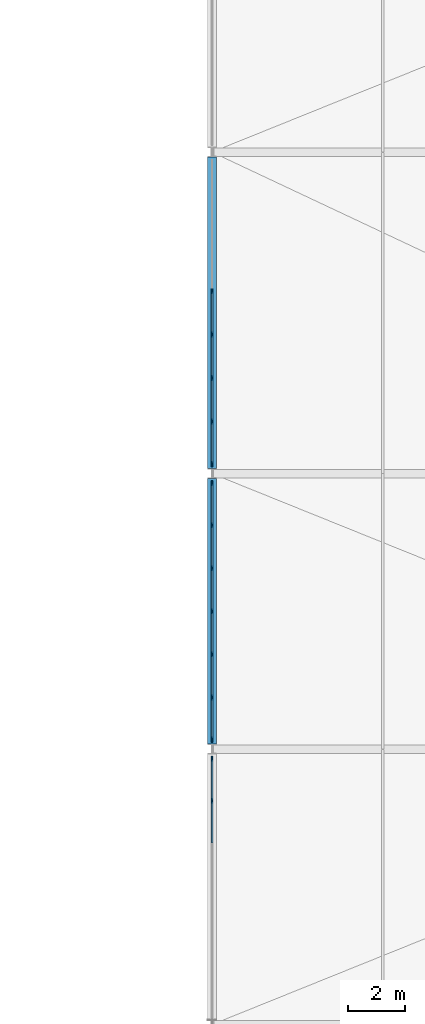
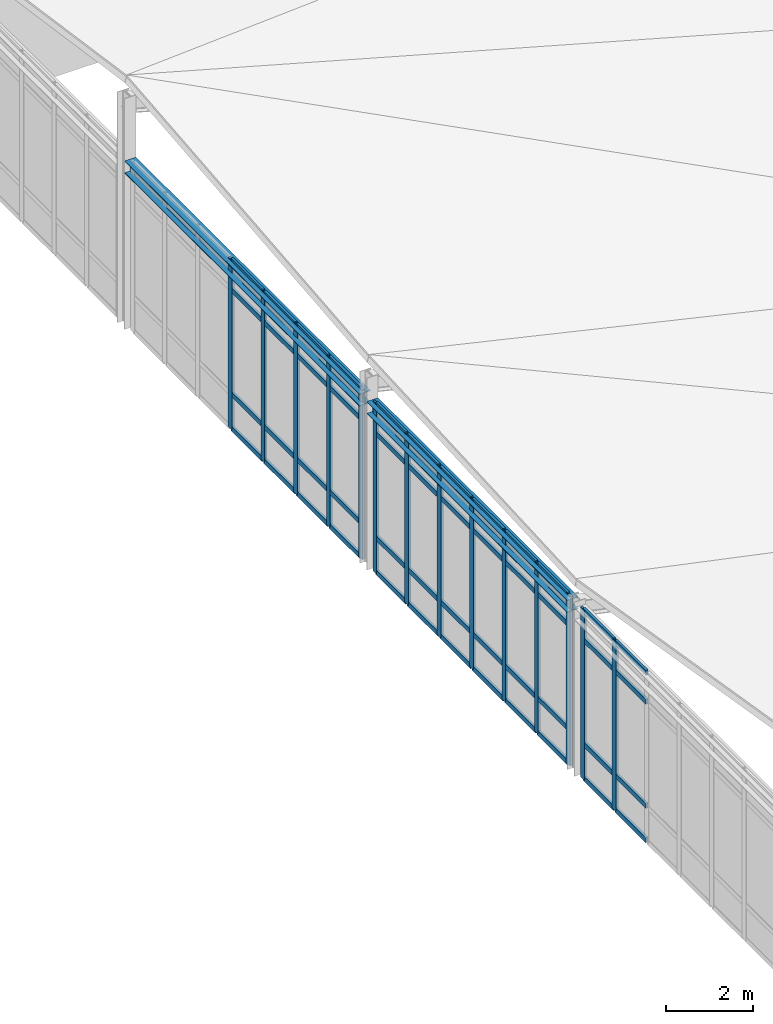
# One storey, part 33 of 64: 62 members, 2 beams, 3 elements without a shape of their own.
"""IFC4 building model written with IfcOpenShell, lengths in metres."""

from ifc_helpers import new_model, si_unit, direction, frame, origin, origin_2d, place, context, subcontext, project, spatial, rectangle, i_section, extrude, material, layer, layer_set, material_profile, profile_set, type_object, element, aggregate, save


model = new_model("IFC4")

# Units and contexts
model_context = context("Model", 3, precision=1e-05, world=origin(), true_north=direction((0.0, 1.0)))
body_context = subcontext(model_context, "Body", "Model", "MODEL_VIEW")
ifc_project = project(units=[si_unit("LENGTHUNIT", "METRE"), si_unit("AREAUNIT", "SQUARE_METRE"), si_unit("VOLUMEUNIT", "CUBIC_METRE"), si_unit("PLANEANGLEUNIT", "RADIAN"), si_unit("MASSUNIT", "GRAM", prefix="KILO")], contexts=[model_context])

# Site, building, storey
site_placement = place(None, origin())
site = spatial("IfcSite", under=ifc_project, at=site_placement, CompositionType="ELEMENT")
building_placement = place(site_placement, origin())
building = spatial("IfcBuilding", under=site, at=building_placement, Name="Nordkorset Police Headquarters", CompositionType="ELEMENT")
storey_placement = place(building_placement, frame((0.0, 0.0, 17.85009765625)))
storey = spatial("IfcBuildingStorey", under=building, at=storey_placement, Name="L04", CompositionType="ELEMENT", Elevation=17.85009765625)

# Curtain wall, members
ifc_material_1 = material(Name="Aluminium alloy AW-6060", Category="aluminium")
ifc_layer_1 = layer(ifc_material_1, 0.179931640625, Name="Aluminium alloy AW-6060")
ifc_layer_set_1 = layer_set([ifc_layer_1], Name="Aluminium alloy AW-6060")
curtain_wall_type_1 = type_object("IfcCurtainWallType", Name="CW_Unit_900x479", PredefinedType="USERDEFINED", material=ifc_layer_set_1)
curtain_wall_1_placement = place(storey_placement, origin())
curtain_wall_1 = element("IfcCurtainWall", 1, at=curtain_wall_1_placement, inside=storey, type_object=curtain_wall_type_1, Name="Unitised Curtain Wall L04 V5CLER-1", ObjectType="UNITISED CURTAIN WALL", PredefinedType="USERDEFINED")
ifc_material_2 = material(Name="Aluminium alloy AW-6060", Category="aluminium")
ifc_material_profile_1 = material_profile(ifc_material_2, rectangle(XDim=0.06494140625, YDim=0.179931640625, at=origin_2d()), Name="ALU MULL 65x180")
ifc_profile_set_1 = profile_set([ifc_material_profile_1], Name="Aluminium alloy AW-6060")
member_type_1 = type_object("IfcMemberType", Name="CW_Mullion_65x180", PredefinedType="MULLION", material=ifc_profile_set_1)
member_1_placement = place(storey_placement, frame((91.39990234375, 65.39990234375, 0.0), z_axis=(0.0, 0.0, 1.0), x_axis=(-1.0, 0.0, 0.0)))
member_1 = element("IfcMember", 2, at=member_1_placement, type_object=member_type_1, Name="CW-89 mullion 6", PredefinedType="MULLION", context=body_context, shape_type="SweptSolid", body=[
    extrude(rectangle(XDim=0.06494140625, YDim=0.179931640625, at=origin_2d()), origin(), (0.0, 0.0, 1.0), 4.789794921875),
])
member_2_placement = place(storey_placement, frame((91.39990234375, 66.867431640625, 0.0), z_axis=(0.0, 0.0, 1.0), x_axis=(-1.0, 0.0, 0.0)))
member_2 = element("IfcMember", 3, at=member_2_placement, type_object=member_type_1, Name="CW-89 mullion 7", PredefinedType="MULLION", context=body_context, shape_type="SweptSolid", body=[
    extrude(rectangle(XDim=0.06494140625, YDim=0.179931640625, at=origin_2d()), origin(), (0.0, 0.0, 1.0), 4.789794921875),
])

curtain_wall_2_placement = place(storey_placement, origin())
curtain_wall_2 = element("IfcCurtainWall", 4, at=curtain_wall_2_placement, inside=storey, type_object=curtain_wall_type_1, Name="Unitised Curtain Wall L04 V5CLER-2", ObjectType="UNITISED CURTAIN WALL", PredefinedType="USERDEFINED")
member_3_placement = place(storey_placement, frame((91.39990234375, 67.532470703125, 0.0), z_axis=(0.0, 0.0, 1.0), x_axis=(-1.0, 0.0, 0.0)))
member_3 = element("IfcMember", 5, at=member_3_placement, type_object=member_type_1, Name="CW-89 mullion 1", PredefinedType="MULLION", context=body_context, shape_type="SweptSolid", body=[
    extrude(rectangle(XDim=0.06494140625, YDim=0.179931640625, at=origin_2d()), origin(), (0.0, 0.0, 1.0), 4.789794921875),
])
member_4_placement = place(storey_placement, frame((91.39990234375, 69.0, 0.0), z_axis=(0.0, 0.0, 1.0), x_axis=(-1.0, 0.0, 0.0)))
member_4 = element("IfcMember", 6, at=member_4_placement, type_object=member_type_1, Name="CW-89 mullion 2", PredefinedType="MULLION", context=body_context, shape_type="SweptSolid", body=[
    extrude(rectangle(XDim=0.06494140625, YDim=0.179931640625, at=origin_2d()), origin(), (0.0, 0.0, 1.0), 4.789794921875),
])
member_5_placement = place(storey_placement, frame((91.39990234375, 70.5, 0.0), z_axis=(0.0, 0.0, 1.0), x_axis=(-1.0, 0.0, 0.0)))
member_5 = element("IfcMember", 7, at=member_5_placement, type_object=member_type_1, Name="CW-89 mullion 3", PredefinedType="MULLION", context=body_context, shape_type="SweptSolid", body=[
    extrude(rectangle(XDim=0.06494140625, YDim=0.179931640625, at=origin_2d()), origin(), (0.0, 0.0, 1.0), 4.789794921875),
])
member_6_placement = place(storey_placement, frame((91.39990234375, 72.0, 0.0), z_axis=(0.0, 0.0, 1.0), x_axis=(-1.0, 0.0, 0.0)))
member_6 = element("IfcMember", 8, at=member_6_placement, type_object=member_type_1, Name="CW-89 mullion 4", PredefinedType="MULLION", context=body_context, shape_type="SweptSolid", body=[
    extrude(rectangle(XDim=0.06494140625, YDim=0.179931640625, at=origin_2d()), origin(), (0.0, 0.0, 1.0), 4.789794921875),
])
member_7_placement = place(storey_placement, frame((91.39990234375, 73.5, 0.0), z_axis=(0.0, 0.0, 1.0), x_axis=(-1.0, 0.0, 0.0)))
member_7 = element("IfcMember", 9, at=member_7_placement, type_object=member_type_1, Name="CW-89 mullion 5", PredefinedType="MULLION", context=body_context, shape_type="SweptSolid", body=[
    extrude(rectangle(XDim=0.06494140625, YDim=0.179931640625, at=origin_2d()), origin(), (0.0, 0.0, 1.0), 4.789794921875),
])
member_8_placement = place(storey_placement, frame((91.39990234375, 75.0, 0.0), z_axis=(0.0, 0.0, 1.0), x_axis=(-1.0, 0.0, 0.0)))
member_8 = element("IfcMember", 10, at=member_8_placement, type_object=member_type_1, Name="CW-89 mullion 6", PredefinedType="MULLION", context=body_context, shape_type="SweptSolid", body=[
    extrude(rectangle(XDim=0.06494140625, YDim=0.179931640625, at=origin_2d()), origin(), (0.0, 0.0, 1.0), 4.789794921875),
])
member_9_placement = place(storey_placement, frame((91.39990234375, 76.467529296875, 0.0), z_axis=(0.0, 0.0, 1.0), x_axis=(-1.0, 0.0, 0.0)))
member_9 = element("IfcMember", 11, at=member_9_placement, type_object=member_type_1, Name="CW-89 mullion 7", PredefinedType="MULLION", context=body_context, shape_type="SweptSolid", body=[
    extrude(rectangle(XDim=0.06494140625, YDim=0.179931640625, at=origin_2d()), origin(), (0.0, 0.0, 1.0), 4.789794921875),
])

ifc_material_3 = material(Name="Aluminium alloy AW-6060", Category="aluminium")
ifc_layer_2 = layer(ifc_material_3, 0.179931640625, Name="Aluminium alloy AW-6060")
ifc_layer_set_2 = layer_set([ifc_layer_2], Name="Aluminium alloy AW-6060")
curtain_wall_type_2 = type_object("IfcCurtainWallType", Name="CW_Unit_1060x479", PredefinedType="USERDEFINED", material=ifc_layer_set_2)
curtain_wall_3_placement = place(storey_placement, origin())
curtain_wall_3 = element("IfcCurtainWall", 12, at=curtain_wall_3_placement, inside=storey, type_object=curtain_wall_type_2, Name="Unitised Curtain Wall L04 V5CLER-3", ObjectType="UNITISED CURTAIN WALL", PredefinedType="USERDEFINED")
member_10_placement = place(storey_placement, frame((91.39990234375, 77.132568359375, 0.0), z_axis=(0.0, 0.0, 1.0), x_axis=(-1.0, 0.0, 0.0)))
member_10 = element("IfcMember", 13, at=member_10_placement, type_object=member_type_1, Name="CW-45 mullion 1", PredefinedType="MULLION", context=body_context, shape_type="SweptSolid", body=[
    extrude(rectangle(XDim=0.06494140625, YDim=0.179931640625, at=origin_2d()), origin(), (0.0, 0.0, 1.0), 4.789794921875),
])
member_11_placement = place(storey_placement, frame((91.39990234375, 78.6142578125, 0.0), z_axis=(0.0, 0.0, 1.0), x_axis=(-1.0, 0.0, 0.0)))
member_11 = element("IfcMember", 14, at=member_11_placement, type_object=member_type_1, Name="CW-45 mullion 2", PredefinedType="MULLION", context=body_context, shape_type="SweptSolid", body=[
    extrude(rectangle(XDim=0.06494140625, YDim=0.179931640625, at=origin_2d()), origin(), (0.0, 0.0, 1.0), 4.789794921875),
])
member_12_placement = place(storey_placement, frame((91.39990234375, 80.128662109375, 0.0), z_axis=(0.0, 0.0, 1.0), x_axis=(-1.0, 0.0, 0.0)))
member_12 = element("IfcMember", 15, at=member_12_placement, type_object=member_type_1, Name="CW-45 mullion 3", PredefinedType="MULLION", context=body_context, shape_type="SweptSolid", body=[
    extrude(rectangle(XDim=0.06494140625, YDim=0.179931640625, at=origin_2d()), origin(), (0.0, 0.0, 1.0), 4.789794921875),
])
member_13_placement = place(storey_placement, frame((91.39990234375, 81.642822265625, 0.0), z_axis=(0.0, 0.0, 1.0), x_axis=(-1.0, 0.0, 0.0)))
member_13 = element("IfcMember", 16, at=member_13_placement, type_object=member_type_1, Name="CW-45 mullion 4", PredefinedType="MULLION", context=body_context, shape_type="SweptSolid", body=[
    extrude(rectangle(XDim=0.06494140625, YDim=0.179931640625, at=origin_2d()), origin(), (0.0, 0.0, 1.0), 4.789794921875),
])
member_14_placement = place(storey_placement, frame((91.39990234375, 83.1572265625, 0.0), z_axis=(0.0, 0.0, 1.0), x_axis=(-1.0, 0.0, 0.0)))
member_14 = element("IfcMember", 17, at=member_14_placement, type_object=member_type_1, Name="CW-45 mullion 5", PredefinedType="MULLION", context=body_context, shape_type="SweptSolid", body=[
    extrude(rectangle(XDim=0.06494140625, YDim=0.179931640625, at=origin_2d()), origin(), (0.0, 0.0, 1.0), 4.789794921875),
])

# Member
ifc_material_4 = material(Name="Aluminium alloy AW-6060", Category="aluminium")
ifc_material_profile_2 = material_profile(ifc_material_4, rectangle(XDim=0.06494140625, YDim=0.139892578125, at=origin_2d()), Name="ALU TRAN 65x140")
ifc_profile_set_2 = profile_set([ifc_material_profile_2], Name="Aluminium alloy AW-6060")
member_type_2 = type_object("IfcMemberType", Name="CW_Transom_65x140", PredefinedType="USERDEFINED", material=ifc_profile_set_2)
member_15_placement = place(storey_placement, frame((91.39990234375, 63.9326171875, 0.032470703125), z_axis=(0.0, 1.0, 0.0), x_axis=(-1.0, 0.0, 0.0)))
member_15 = element("IfcMember", 18, at=member_15_placement, type_object=member_type_2, Name="CW-89 transom 5.1", ObjectType="TRANSOM", PredefinedType="USERDEFINED", context=body_context, shape_type="SweptSolid", body=[
    extrude(rectangle(XDim=0.06494140625, YDim=0.139892578125, at=origin_2d()), origin(), (0.0, 0.0, 1.0), 1.434814453125),
])

member_16_placement = place(storey_placement, frame((91.39990234375, 63.9326171875, 1.0), z_axis=(0.0, 1.0, 0.0), x_axis=(-1.0, 0.0, 0.0)))
member_16 = element("IfcMember", 19, at=member_16_placement, type_object=member_type_2, Name="CW-89 transom 5.2", ObjectType="TRANSOM", PredefinedType="USERDEFINED", context=body_context, shape_type="SweptSolid", body=[
    extrude(rectangle(XDim=0.06494140625, YDim=0.139892578125, at=origin_2d()), origin(), (0.0, 0.0, 1.0), 1.434814453125),
])

member_17_placement = place(storey_placement, frame((91.39990234375, 63.9326171875, 3.93994140625), z_axis=(0.0, 1.0, 0.0), x_axis=(-1.0, 0.0, 0.0)))
member_17 = element("IfcMember", 20, at=member_17_placement, type_object=member_type_2, Name="CW-89 transom 5.3", ObjectType="TRANSOM", PredefinedType="USERDEFINED", context=body_context, shape_type="SweptSolid", body=[
    extrude(rectangle(XDim=0.06494140625, YDim=0.139892578125, at=origin_2d()), origin(), (0.0, 0.0, 1.0), 1.434814453125),
])

member_18_placement = place(storey_placement, frame((91.39990234375, 63.9326171875, 4.75732421875), z_axis=(0.0, 1.0, 0.0), x_axis=(-1.0, 0.0, 0.0)))
member_18 = element("IfcMember", 21, at=member_18_placement, type_object=member_type_2, Name="CW-89 transom 5.4", ObjectType="TRANSOM", PredefinedType="USERDEFINED", context=body_context, shape_type="SweptSolid", body=[
    extrude(rectangle(XDim=0.06494140625, YDim=0.139892578125, at=origin_2d()), origin(), (0.0, 0.0, 1.0), 1.434814453125),
])

member_19_placement = place(storey_placement, frame((91.39990234375, 65.4326171875, 0.032470703125), z_axis=(0.0, 1.0, 0.0), x_axis=(-1.0, 0.0, 0.0)))
member_19 = element("IfcMember", 22, at=member_19_placement, type_object=member_type_2, Name="CW-89 transom 6.1", ObjectType="TRANSOM", PredefinedType="USERDEFINED", context=body_context, shape_type="SweptSolid", body=[
    extrude(rectangle(XDim=0.06494140625, YDim=0.139892578125, at=origin_2d()), origin(), (0.0, 0.0, 1.0), 1.40234375),
])

member_20_placement = place(storey_placement, frame((91.39990234375, 65.4326171875, 1.0), z_axis=(0.0, 1.0, 0.0), x_axis=(-1.0, 0.0, 0.0)))
member_20 = element("IfcMember", 23, at=member_20_placement, type_object=member_type_2, Name="CW-89 transom 6.2", ObjectType="TRANSOM", PredefinedType="USERDEFINED", context=body_context, shape_type="SweptSolid", body=[
    extrude(rectangle(XDim=0.06494140625, YDim=0.139892578125, at=origin_2d()), origin(), (0.0, 0.0, 1.0), 1.40234375),
])

member_21_placement = place(storey_placement, frame((91.39990234375, 65.4326171875, 3.93994140625), z_axis=(0.0, 1.0, 0.0), x_axis=(-1.0, 0.0, 0.0)))
member_21 = element("IfcMember", 24, at=member_21_placement, type_object=member_type_2, Name="CW-89 transom 6.3", ObjectType="TRANSOM", PredefinedType="USERDEFINED", context=body_context, shape_type="SweptSolid", body=[
    extrude(rectangle(XDim=0.06494140625, YDim=0.139892578125, at=origin_2d()), origin(), (0.0, 0.0, 1.0), 1.40234375),
])

member_22_placement = place(storey_placement, frame((91.39990234375, 65.4326171875, 4.75732421875), z_axis=(0.0, 1.0, 0.0), x_axis=(-1.0, 0.0, 0.0)))
member_22 = element("IfcMember", 25, at=member_22_placement, type_object=member_type_2, Name="CW-89 transom 6.4", ObjectType="TRANSOM", PredefinedType="USERDEFINED", context=body_context, shape_type="SweptSolid", body=[
    extrude(rectangle(XDim=0.06494140625, YDim=0.139892578125, at=origin_2d()), origin(), (0.0, 0.0, 1.0), 1.40234375),
])

aggregate(curtain_wall_1, [member_1, member_2, member_15, member_16, member_17, member_18, member_19, member_20, member_21, member_22])

member_23_placement = place(storey_placement, frame((91.39990234375, 67.56494140625, 0.032470703125), z_axis=(0.0, 1.0, 0.0), x_axis=(-1.0, 0.0, 0.0)))
member_23 = element("IfcMember", 26, at=member_23_placement, type_object=member_type_2, Name="CW-89 transom 1.1", ObjectType="TRANSOM", PredefinedType="USERDEFINED", context=body_context, shape_type="SweptSolid", body=[
    extrude(rectangle(XDim=0.06494140625, YDim=0.139892578125, at=origin_2d()), origin(), (0.0, 0.0, 1.0), 1.402587890625),
])

member_24_placement = place(storey_placement, frame((91.39990234375, 67.56494140625, 1.0), z_axis=(0.0, 1.0, 0.0), x_axis=(-1.0, 0.0, 0.0)))
member_24 = element("IfcMember", 27, at=member_24_placement, type_object=member_type_2, Name="CW-89 transom 1.2", ObjectType="TRANSOM", PredefinedType="USERDEFINED", context=body_context, shape_type="SweptSolid", body=[
    extrude(rectangle(XDim=0.06494140625, YDim=0.139892578125, at=origin_2d()), origin(), (0.0, 0.0, 1.0), 1.402587890625),
])

member_25_placement = place(storey_placement, frame((91.39990234375, 67.56494140625, 3.93994140625), z_axis=(0.0, 1.0, 0.0), x_axis=(-1.0, 0.0, 0.0)))
member_25 = element("IfcMember", 28, at=member_25_placement, type_object=member_type_2, Name="CW-89 transom 1.3", ObjectType="TRANSOM", PredefinedType="USERDEFINED", context=body_context, shape_type="SweptSolid", body=[
    extrude(rectangle(XDim=0.06494140625, YDim=0.139892578125, at=origin_2d()), origin(), (0.0, 0.0, 1.0), 1.402587890625),
])

member_26_placement = place(storey_placement, frame((91.39990234375, 67.56494140625, 4.75732421875), z_axis=(0.0, 1.0, 0.0), x_axis=(-1.0, 0.0, 0.0)))
member_26 = element("IfcMember", 29, at=member_26_placement, type_object=member_type_2, Name="CW-89 transom 1.4", ObjectType="TRANSOM", PredefinedType="USERDEFINED", context=body_context, shape_type="SweptSolid", body=[
    extrude(rectangle(XDim=0.06494140625, YDim=0.139892578125, at=origin_2d()), origin(), (0.0, 0.0, 1.0), 1.402587890625),
])

member_27_placement = place(storey_placement, frame((91.39990234375, 69.032470703125, 0.032470703125), z_axis=(0.0, 1.0, 0.0), x_axis=(-1.0, 0.0, 0.0)))
member_27 = element("IfcMember", 30, at=member_27_placement, type_object=member_type_2, Name="CW-89 transom 2.1", ObjectType="TRANSOM", PredefinedType="USERDEFINED", context=body_context, shape_type="SweptSolid", body=[
    extrude(rectangle(XDim=0.06494140625, YDim=0.139892578125, at=origin_2d()), origin(), (0.0, 0.0, 1.0), 1.43505859375),
])

member_28_placement = place(storey_placement, frame((91.39990234375, 69.032470703125, 1.0), z_axis=(0.0, 1.0, 0.0), x_axis=(-1.0, 0.0, 0.0)))
member_28 = element("IfcMember", 31, at=member_28_placement, type_object=member_type_2, Name="CW-89 transom 2.2", ObjectType="TRANSOM", PredefinedType="USERDEFINED", context=body_context, shape_type="SweptSolid", body=[
    extrude(rectangle(XDim=0.06494140625, YDim=0.139892578125, at=origin_2d()), origin(), (0.0, 0.0, 1.0), 1.43505859375),
])

member_29_placement = place(storey_placement, frame((91.39990234375, 69.032470703125, 3.93994140625), z_axis=(0.0, 1.0, 0.0), x_axis=(-1.0, 0.0, 0.0)))
member_29 = element("IfcMember", 32, at=member_29_placement, type_object=member_type_2, Name="CW-89 transom 2.3", ObjectType="TRANSOM", PredefinedType="USERDEFINED", context=body_context, shape_type="SweptSolid", body=[
    extrude(rectangle(XDim=0.06494140625, YDim=0.139892578125, at=origin_2d()), origin(), (0.0, 0.0, 1.0), 1.43505859375),
])

member_30_placement = place(storey_placement, frame((91.39990234375, 69.032470703125, 4.75732421875), z_axis=(0.0, 1.0, 0.0), x_axis=(-1.0, 0.0, 0.0)))
member_30 = element("IfcMember", 33, at=member_30_placement, type_object=member_type_2, Name="CW-89 transom 2.4", ObjectType="TRANSOM", PredefinedType="USERDEFINED", context=body_context, shape_type="SweptSolid", body=[
    extrude(rectangle(XDim=0.06494140625, YDim=0.139892578125, at=origin_2d()), origin(), (0.0, 0.0, 1.0), 1.43505859375),
])

member_31_placement = place(storey_placement, frame((91.39990234375, 70.532470703125, 0.032470703125), z_axis=(0.0, 1.0, 0.0), x_axis=(-1.0, 0.0, 0.0)))
member_31 = element("IfcMember", 34, at=member_31_placement, type_object=member_type_2, Name="CW-89 transom 3.1", ObjectType="TRANSOM", PredefinedType="USERDEFINED", context=body_context, shape_type="SweptSolid", body=[
    extrude(rectangle(XDim=0.06494140625, YDim=0.139892578125, at=origin_2d()), origin(), (0.0, 0.0, 1.0), 1.43505859375),
])

member_32_placement = place(storey_placement, frame((91.39990234375, 70.532470703125, 1.0), z_axis=(0.0, 1.0, 0.0), x_axis=(-1.0, 0.0, 0.0)))
member_32 = element("IfcMember", 35, at=member_32_placement, type_object=member_type_2, Name="CW-89 transom 3.2", ObjectType="TRANSOM", PredefinedType="USERDEFINED", context=body_context, shape_type="SweptSolid", body=[
    extrude(rectangle(XDim=0.06494140625, YDim=0.139892578125, at=origin_2d()), origin(), (0.0, 0.0, 1.0), 1.43505859375),
])

member_33_placement = place(storey_placement, frame((91.39990234375, 70.532470703125, 3.93994140625), z_axis=(0.0, 1.0, 0.0), x_axis=(-1.0, 0.0, 0.0)))
member_33 = element("IfcMember", 36, at=member_33_placement, type_object=member_type_2, Name="CW-89 transom 3.3", ObjectType="TRANSOM", PredefinedType="USERDEFINED", context=body_context, shape_type="SweptSolid", body=[
    extrude(rectangle(XDim=0.06494140625, YDim=0.139892578125, at=origin_2d()), origin(), (0.0, 0.0, 1.0), 1.43505859375),
])

member_34_placement = place(storey_placement, frame((91.39990234375, 70.532470703125, 4.75732421875), z_axis=(0.0, 1.0, 0.0), x_axis=(-1.0, 0.0, 0.0)))
member_34 = element("IfcMember", 37, at=member_34_placement, type_object=member_type_2, Name="CW-89 transom 3.4", ObjectType="TRANSOM", PredefinedType="USERDEFINED", context=body_context, shape_type="SweptSolid", body=[
    extrude(rectangle(XDim=0.06494140625, YDim=0.139892578125, at=origin_2d()), origin(), (0.0, 0.0, 1.0), 1.43505859375),
])

member_35_placement = place(storey_placement, frame((91.39990234375, 72.032470703125, 0.032470703125), z_axis=(0.0, 1.0, 0.0), x_axis=(-1.0, 0.0, 0.0)))
member_35 = element("IfcMember", 38, at=member_35_placement, type_object=member_type_2, Name="CW-89 transom 4.1", ObjectType="TRANSOM", PredefinedType="USERDEFINED", context=body_context, shape_type="SweptSolid", body=[
    extrude(rectangle(XDim=0.06494140625, YDim=0.139892578125, at=origin_2d()), origin(), (0.0, 0.0, 1.0), 1.43505859375),
])

member_36_placement = place(storey_placement, frame((91.39990234375, 72.032470703125, 1.0), z_axis=(0.0, 1.0, 0.0), x_axis=(-1.0, 0.0, 0.0)))
member_36 = element("IfcMember", 39, at=member_36_placement, type_object=member_type_2, Name="CW-89 transom 4.2", ObjectType="TRANSOM", PredefinedType="USERDEFINED", context=body_context, shape_type="SweptSolid", body=[
    extrude(rectangle(XDim=0.06494140625, YDim=0.139892578125, at=origin_2d()), origin(), (0.0, 0.0, 1.0), 1.43505859375),
])

member_37_placement = place(storey_placement, frame((91.39990234375, 72.032470703125, 3.93994140625), z_axis=(0.0, 1.0, 0.0), x_axis=(-1.0, 0.0, 0.0)))
member_37 = element("IfcMember", 40, at=member_37_placement, type_object=member_type_2, Name="CW-89 transom 4.3", ObjectType="TRANSOM", PredefinedType="USERDEFINED", context=body_context, shape_type="SweptSolid", body=[
    extrude(rectangle(XDim=0.06494140625, YDim=0.139892578125, at=origin_2d()), origin(), (0.0, 0.0, 1.0), 1.43505859375),
])

member_38_placement = place(storey_placement, frame((91.39990234375, 72.032470703125, 4.75732421875), z_axis=(0.0, 1.0, 0.0), x_axis=(-1.0, 0.0, 0.0)))
member_38 = element("IfcMember", 41, at=member_38_placement, type_object=member_type_2, Name="CW-89 transom 4.4", ObjectType="TRANSOM", PredefinedType="USERDEFINED", context=body_context, shape_type="SweptSolid", body=[
    extrude(rectangle(XDim=0.06494140625, YDim=0.139892578125, at=origin_2d()), origin(), (0.0, 0.0, 1.0), 1.43505859375),
])

member_39_placement = place(storey_placement, frame((91.39990234375, 73.532470703125, 0.032470703125), z_axis=(0.0, 1.0, 0.0), x_axis=(-1.0, 0.0, 0.0)))
member_39 = element("IfcMember", 42, at=member_39_placement, type_object=member_type_2, Name="CW-89 transom 5.1", ObjectType="TRANSOM", PredefinedType="USERDEFINED", context=body_context, shape_type="SweptSolid", body=[
    extrude(rectangle(XDim=0.06494140625, YDim=0.139892578125, at=origin_2d()), origin(), (0.0, 0.0, 1.0), 1.43505859375),
])

member_40_placement = place(storey_placement, frame((91.39990234375, 73.532470703125, 1.0), z_axis=(0.0, 1.0, 0.0), x_axis=(-1.0, 0.0, 0.0)))
member_40 = element("IfcMember", 43, at=member_40_placement, type_object=member_type_2, Name="CW-89 transom 5.2", ObjectType="TRANSOM", PredefinedType="USERDEFINED", context=body_context, shape_type="SweptSolid", body=[
    extrude(rectangle(XDim=0.06494140625, YDim=0.139892578125, at=origin_2d()), origin(), (0.0, 0.0, 1.0), 1.43505859375),
])

member_41_placement = place(storey_placement, frame((91.39990234375, 73.532470703125, 3.93994140625), z_axis=(0.0, 1.0, 0.0), x_axis=(-1.0, 0.0, 0.0)))
member_41 = element("IfcMember", 44, at=member_41_placement, type_object=member_type_2, Name="CW-89 transom 5.3", ObjectType="TRANSOM", PredefinedType="USERDEFINED", context=body_context, shape_type="SweptSolid", body=[
    extrude(rectangle(XDim=0.06494140625, YDim=0.139892578125, at=origin_2d()), origin(), (0.0, 0.0, 1.0), 1.43505859375),
])

member_42_placement = place(storey_placement, frame((91.39990234375, 73.532470703125, 4.75732421875), z_axis=(0.0, 1.0, 0.0), x_axis=(-1.0, 0.0, 0.0)))
member_42 = element("IfcMember", 45, at=member_42_placement, type_object=member_type_2, Name="CW-89 transom 5.4", ObjectType="TRANSOM", PredefinedType="USERDEFINED", context=body_context, shape_type="SweptSolid", body=[
    extrude(rectangle(XDim=0.06494140625, YDim=0.139892578125, at=origin_2d()), origin(), (0.0, 0.0, 1.0), 1.43505859375),
])

member_43_placement = place(storey_placement, frame((91.39990234375, 75.032470703125, 0.032470703125), z_axis=(0.0, 1.0, 0.0), x_axis=(-1.0, 0.0, 0.0)))
member_43 = element("IfcMember", 46, at=member_43_placement, type_object=member_type_2, Name="CW-89 transom 6.1", ObjectType="TRANSOM", PredefinedType="USERDEFINED", context=body_context, shape_type="SweptSolid", body=[
    extrude(rectangle(XDim=0.06494140625, YDim=0.139892578125, at=origin_2d()), origin(), (0.0, 0.0, 1.0), 1.402587890625),
])

member_44_placement = place(storey_placement, frame((91.39990234375, 75.032470703125, 1.0), z_axis=(0.0, 1.0, 0.0), x_axis=(-1.0, 0.0, 0.0)))
member_44 = element("IfcMember", 47, at=member_44_placement, type_object=member_type_2, Name="CW-89 transom 6.2", ObjectType="TRANSOM", PredefinedType="USERDEFINED", context=body_context, shape_type="SweptSolid", body=[
    extrude(rectangle(XDim=0.06494140625, YDim=0.139892578125, at=origin_2d()), origin(), (0.0, 0.0, 1.0), 1.402587890625),
])

member_45_placement = place(storey_placement, frame((91.39990234375, 75.032470703125, 3.93994140625), z_axis=(0.0, 1.0, 0.0), x_axis=(-1.0, 0.0, 0.0)))
member_45 = element("IfcMember", 48, at=member_45_placement, type_object=member_type_2, Name="CW-89 transom 6.3", ObjectType="TRANSOM", PredefinedType="USERDEFINED", context=body_context, shape_type="SweptSolid", body=[
    extrude(rectangle(XDim=0.06494140625, YDim=0.139892578125, at=origin_2d()), origin(), (0.0, 0.0, 1.0), 1.402587890625),
])

member_46_placement = place(storey_placement, frame((91.39990234375, 75.032470703125, 4.75732421875), z_axis=(0.0, 1.0, 0.0), x_axis=(-1.0, 0.0, 0.0)))
member_46 = element("IfcMember", 49, at=member_46_placement, type_object=member_type_2, Name="CW-89 transom 6.4", ObjectType="TRANSOM", PredefinedType="USERDEFINED", context=body_context, shape_type="SweptSolid", body=[
    extrude(rectangle(XDim=0.06494140625, YDim=0.139892578125, at=origin_2d()), origin(), (0.0, 0.0, 1.0), 1.402587890625),
])

aggregate(curtain_wall_2, [member_3, member_4, member_5, member_6, member_7, member_8, member_9, member_23, member_24, member_25, member_26, member_27, member_28, member_29, member_30, member_31, member_32, member_33, member_34, member_35, member_36, member_37, member_38, member_39, member_40, member_41, member_42, member_43, member_44, member_45, member_46])

member_47_placement = place(storey_placement, frame((91.39990234375, 77.1650390625, 0.032470703125), z_axis=(0.0, 1.0, 0.0), x_axis=(-1.0, 0.0, 0.0)))
member_47 = element("IfcMember", 50, at=member_47_placement, type_object=member_type_2, Name="CW-45 transom 1.1", ObjectType="TRANSOM", PredefinedType="USERDEFINED", context=body_context, shape_type="SweptSolid", body=[
    extrude(rectangle(XDim=0.06494140625, YDim=0.139892578125, at=origin_2d()), origin(), (0.0, 0.0, 1.0), 1.416748046875),
])

member_48_placement = place(storey_placement, frame((91.39990234375, 77.1650390625, 1.0), z_axis=(0.0, 1.0, 0.0), x_axis=(-1.0, 0.0, 0.0)))
member_48 = element("IfcMember", 51, at=member_48_placement, type_object=member_type_2, Name="CW-45 transom 1.2", ObjectType="TRANSOM", PredefinedType="USERDEFINED", context=body_context, shape_type="SweptSolid", body=[
    extrude(rectangle(XDim=0.06494140625, YDim=0.139892578125, at=origin_2d()), origin(), (0.0, 0.0, 1.0), 1.416748046875),
])

member_49_placement = place(storey_placement, frame((91.39990234375, 77.1650390625, 3.93994140625), z_axis=(0.0, 1.0, 0.0), x_axis=(-1.0, 0.0, 0.0)))
member_49 = element("IfcMember", 52, at=member_49_placement, type_object=member_type_2, Name="CW-45 transom 1.3", ObjectType="TRANSOM", PredefinedType="USERDEFINED", context=body_context, shape_type="SweptSolid", body=[
    extrude(rectangle(XDim=0.06494140625, YDim=0.139892578125, at=origin_2d()), origin(), (0.0, 0.0, 1.0), 1.416748046875),
])

member_50_placement = place(storey_placement, frame((91.39990234375, 77.1650390625, 4.75732421875), z_axis=(0.0, 1.0, 0.0), x_axis=(-1.0, 0.0, 0.0)))
member_50 = element("IfcMember", 53, at=member_50_placement, type_object=member_type_2, Name="CW-45 transom 1.4", ObjectType="TRANSOM", PredefinedType="USERDEFINED", context=body_context, shape_type="SweptSolid", body=[
    extrude(rectangle(XDim=0.06494140625, YDim=0.139892578125, at=origin_2d()), origin(), (0.0, 0.0, 1.0), 1.416748046875),
])

member_51_placement = place(storey_placement, frame((91.39990234375, 78.646728515625, 0.032470703125), z_axis=(0.0, 1.0, 0.0), x_axis=(-1.0, 0.0, 0.0)))
member_51 = element("IfcMember", 54, at=member_51_placement, type_object=member_type_2, Name="CW-45 transom 2.1", ObjectType="TRANSOM", PredefinedType="USERDEFINED", context=body_context, shape_type="SweptSolid", body=[
    extrude(rectangle(XDim=0.06494140625, YDim=0.139892578125, at=origin_2d()), origin(), (0.0, 0.0, 1.0), 1.449462890625),
])

member_52_placement = place(storey_placement, frame((91.39990234375, 78.646728515625, 1.0), z_axis=(0.0, 1.0, 0.0), x_axis=(-1.0, 0.0, 0.0)))
member_52 = element("IfcMember", 55, at=member_52_placement, type_object=member_type_2, Name="CW-45 transom 2.2", ObjectType="TRANSOM", PredefinedType="USERDEFINED", context=body_context, shape_type="SweptSolid", body=[
    extrude(rectangle(XDim=0.06494140625, YDim=0.139892578125, at=origin_2d()), origin(), (0.0, 0.0, 1.0), 1.449462890625),
])

member_53_placement = place(storey_placement, frame((91.39990234375, 78.646728515625, 3.93994140625), z_axis=(0.0, 1.0, 0.0), x_axis=(-1.0, 0.0, 0.0)))
member_53 = element("IfcMember", 56, at=member_53_placement, type_object=member_type_2, Name="CW-45 transom 2.3", ObjectType="TRANSOM", PredefinedType="USERDEFINED", context=body_context, shape_type="SweptSolid", body=[
    extrude(rectangle(XDim=0.06494140625, YDim=0.139892578125, at=origin_2d()), origin(), (0.0, 0.0, 1.0), 1.449462890625),
])

member_54_placement = place(storey_placement, frame((91.39990234375, 78.646728515625, 4.75732421875), z_axis=(0.0, 1.0, 0.0), x_axis=(-1.0, 0.0, 0.0)))
member_54 = element("IfcMember", 57, at=member_54_placement, type_object=member_type_2, Name="CW-45 transom 2.4", ObjectType="TRANSOM", PredefinedType="USERDEFINED", context=body_context, shape_type="SweptSolid", body=[
    extrude(rectangle(XDim=0.06494140625, YDim=0.139892578125, at=origin_2d()), origin(), (0.0, 0.0, 1.0), 1.449462890625),
])

member_55_placement = place(storey_placement, frame((91.39990234375, 80.1611328125, 0.032470703125), z_axis=(0.0, 1.0, 0.0), x_axis=(-1.0, 0.0, 0.0)))
member_55 = element("IfcMember", 58, at=member_55_placement, type_object=member_type_2, Name="CW-45 transom 3.1", ObjectType="TRANSOM", PredefinedType="USERDEFINED", context=body_context, shape_type="SweptSolid", body=[
    extrude(rectangle(XDim=0.06494140625, YDim=0.139892578125, at=origin_2d()), origin(), (0.0, 0.0, 1.0), 1.44921875),
])

member_56_placement = place(storey_placement, frame((91.39990234375, 80.1611328125, 1.0), z_axis=(0.0, 1.0, 0.0), x_axis=(-1.0, 0.0, 0.0)))
member_56 = element("IfcMember", 59, at=member_56_placement, type_object=member_type_2, Name="CW-45 transom 3.2", ObjectType="TRANSOM", PredefinedType="USERDEFINED", context=body_context, shape_type="SweptSolid", body=[
    extrude(rectangle(XDim=0.06494140625, YDim=0.139892578125, at=origin_2d()), origin(), (0.0, 0.0, 1.0), 1.44921875),
])

member_57_placement = place(storey_placement, frame((91.39990234375, 80.1611328125, 3.93994140625), z_axis=(0.0, 1.0, 0.0), x_axis=(-1.0, 0.0, 0.0)))
member_57 = element("IfcMember", 60, at=member_57_placement, type_object=member_type_2, Name="CW-45 transom 3.3", ObjectType="TRANSOM", PredefinedType="USERDEFINED", context=body_context, shape_type="SweptSolid", body=[
    extrude(rectangle(XDim=0.06494140625, YDim=0.139892578125, at=origin_2d()), origin(), (0.0, 0.0, 1.0), 1.44921875),
])

member_58_placement = place(storey_placement, frame((91.39990234375, 80.1611328125, 4.75732421875), z_axis=(0.0, 1.0, 0.0), x_axis=(-1.0, 0.0, 0.0)))
member_58 = element("IfcMember", 61, at=member_58_placement, type_object=member_type_2, Name="CW-45 transom 3.4", ObjectType="TRANSOM", PredefinedType="USERDEFINED", context=body_context, shape_type="SweptSolid", body=[
    extrude(rectangle(XDim=0.06494140625, YDim=0.139892578125, at=origin_2d()), origin(), (0.0, 0.0, 1.0), 1.44921875),
])

member_59_placement = place(storey_placement, frame((91.39990234375, 81.67529296875, 0.032470703125), z_axis=(0.0, 1.0, 0.0), x_axis=(-1.0, 0.0, 0.0)))
member_59 = element("IfcMember", 62, at=member_59_placement, type_object=member_type_2, Name="CW-45 transom 4.1", ObjectType="TRANSOM", PredefinedType="USERDEFINED", context=body_context, shape_type="SweptSolid", body=[
    extrude(rectangle(XDim=0.06494140625, YDim=0.139892578125, at=origin_2d()), origin(), (0.0, 0.0, 1.0), 1.449462890625),
])

member_60_placement = place(storey_placement, frame((91.39990234375, 81.67529296875, 1.0), z_axis=(0.0, 1.0, 0.0), x_axis=(-1.0, 0.0, 0.0)))
member_60 = element("IfcMember", 63, at=member_60_placement, type_object=member_type_2, Name="CW-45 transom 4.2", ObjectType="TRANSOM", PredefinedType="USERDEFINED", context=body_context, shape_type="SweptSolid", body=[
    extrude(rectangle(XDim=0.06494140625, YDim=0.139892578125, at=origin_2d()), origin(), (0.0, 0.0, 1.0), 1.449462890625),
])

member_61_placement = place(storey_placement, frame((91.39990234375, 81.67529296875, 3.93994140625), z_axis=(0.0, 1.0, 0.0), x_axis=(-1.0, 0.0, 0.0)))
member_61 = element("IfcMember", 64, at=member_61_placement, type_object=member_type_2, Name="CW-45 transom 4.3", ObjectType="TRANSOM", PredefinedType="USERDEFINED", context=body_context, shape_type="SweptSolid", body=[
    extrude(rectangle(XDim=0.06494140625, YDim=0.139892578125, at=origin_2d()), origin(), (0.0, 0.0, 1.0), 1.449462890625),
])

member_62_placement = place(storey_placement, frame((91.39990234375, 81.67529296875, 4.75732421875), z_axis=(0.0, 1.0, 0.0), x_axis=(-1.0, 0.0, 0.0)))
member_62 = element("IfcMember", 65, at=member_62_placement, type_object=member_type_2, Name="CW-45 transom 4.4", ObjectType="TRANSOM", PredefinedType="USERDEFINED", context=body_context, shape_type="SweptSolid", body=[
    extrude(rectangle(XDim=0.06494140625, YDim=0.139892578125, at=origin_2d()), origin(), (0.0, 0.0, 1.0), 1.449462890625),
])

aggregate(curtain_wall_3, [member_10, member_11, member_12, member_13, member_14, member_47, member_48, member_49, member_50, member_51, member_52, member_53, member_54, member_55, member_56, member_57, member_58, member_59, member_60, member_61, member_62])

# Beams
ifc_material_5 = material(Name="Steel S355J2", Category="steel")
ifc_material_profile_3 = material_profile(ifc_material_5, i_section(OverallWidth=0.300048828125, OverallDepth=0.35009765625, WebThickness=0.010009765625, FlangeThickness=0.017578125, FilletRadius=0.027099609375, at=origin_2d()), Name="HEA 360")
ifc_profile_set_3 = profile_set([ifc_material_profile_3], Name="Steel S355J2")
beam_type = type_object("IfcBeamType", Name="Girder_HEA_360", PredefinedType="USERDEFINED", material=ifc_profile_set_3)
beam_1_placement = place(storey_placement, frame((91.39990234375, 67.375, 4.58984375), z_axis=(0.0, 1.0, 0.0), x_axis=(-1.0, 0.0, 0.0)))
element("IfcBeam", 66, at=beam_1_placement, inside=storey, type_object=beam_type, Name="Gymnasium Clerestory Roof Tie Girder 3", ObjectType="GIRDER", PredefinedType="USERDEFINED", context=body_context, shape_type="SweptSolid", body=[
    extrude(i_section(OverallWidth=0.300048828125, OverallDepth=0.35009765625, WebThickness=0.010009765625, FlangeThickness=0.017578125, FilletRadius=0.027099609375, at=origin_2d()), origin(), (0.0, 0.0, 1.0), 9.25),
])
beam_2_placement = place(storey_placement, frame((91.39990234375, 76.97509765625, 4.58984375), z_axis=(0.0, 1.0, 0.0), x_axis=(-1.0, 0.0, 0.0)))
element("IfcBeam", 67, at=beam_2_placement, inside=storey, type_object=beam_type, Name="Gymnasium Clerestory Roof Tie Girder 4", ObjectType="GIRDER", PredefinedType="USERDEFINED", context=body_context, shape_type="SweptSolid", body=[
    extrude(i_section(OverallWidth=0.300048828125, OverallDepth=0.35009765625, WebThickness=0.010009765625, FlangeThickness=0.017578125, FilletRadius=0.027099609375, at=origin_2d()), origin(), (0.0, 0.0, 1.0), 10.849853515625),
])

save(model, "model.ifc")
